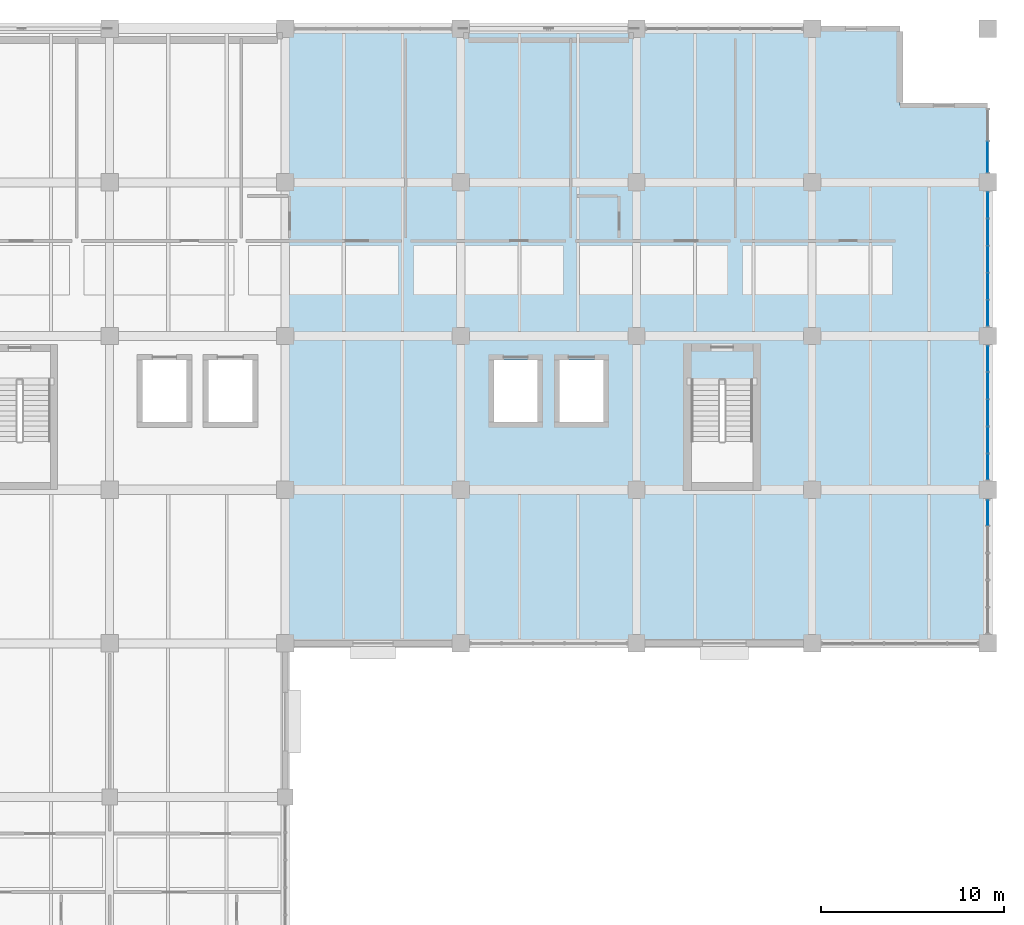
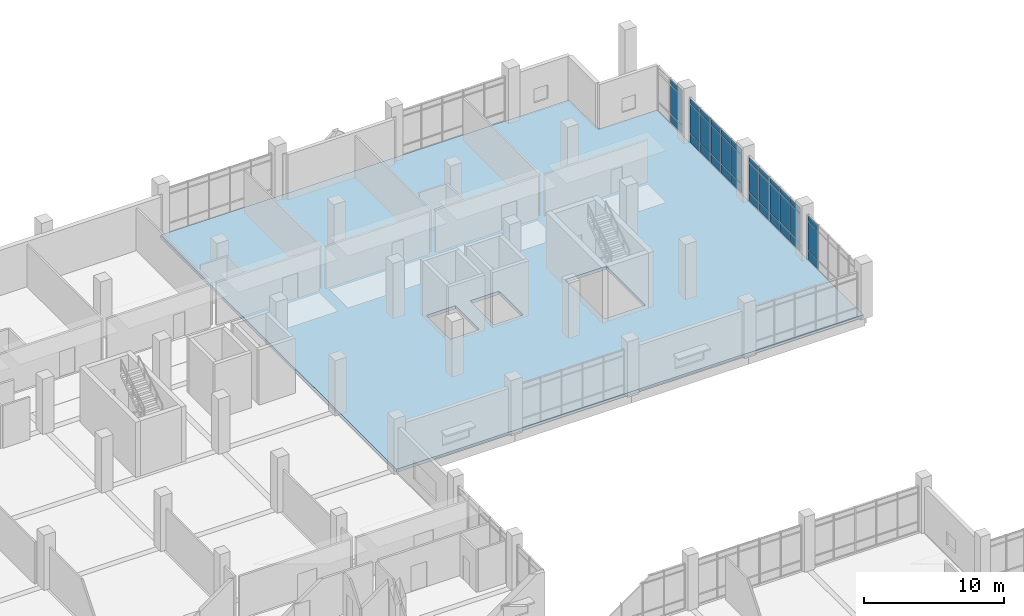
# One storey, part 107 of 152: 36 plates, 1 slab, 4 elements without a shape of their own.
"""IFC4 building model written with IfcOpenShell, lengths in metres."""

from ifc_helpers import new_model, si_unit, direction, frame, origin, origin_2d, place, context, subcontext, project, spatial, polyline, rectangle, outline, extrude, material, layer, layer_set, type_object, element, aggregate, save


model = new_model("IFC4")

# Units and contexts
model_context = context("Model", 3, precision=1e-05, world=origin(), true_north=direction((0.0, 1.0)))
body_context = subcontext(model_context, "Body", "Model", "MODEL_VIEW")
ifc_project = project(units=[si_unit("LENGTHUNIT", "METRE"), si_unit("AREAUNIT", "SQUARE_METRE"), si_unit("VOLUMEUNIT", "CUBIC_METRE"), si_unit("PLANEANGLEUNIT", "RADIAN"), si_unit("MASSUNIT", "GRAM", prefix="KILO")], contexts=[model_context])

# Site, building, storey
site_placement = place(None, origin())
site = spatial("IfcSite", under=ifc_project, at=site_placement, CompositionType="ELEMENT")
building_placement = place(site_placement, origin())
building = spatial("IfcBuilding", under=site, at=building_placement, Name="Oolite Switchyard Hospital", CompositionType="ELEMENT")
storey_placement = place(building_placement, frame((0.0, 0.0, 5.10009765625)))
storey = spatial("IfcBuildingStorey", under=building, at=storey_placement, Name="L01", CompositionType="ELEMENT", Elevation=5.10009765625)

# Curtain wall, plates
ifc_material_1 = material(Name="Thermally broken aluminum frame with laminated impact glazing", Category="aluminium")
curtain_wall_type = type_object("IfcCurtainWallType", Name="CW-UNIT-84X48", PredefinedType="USERDEFINED", material=ifc_material_1)
curtain_wall_1_placement = place(storey_placement, origin())
curtain_wall_1 = element("IfcCurtainWall", 1, at=curtain_wall_1_placement, inside=storey, type_object=curtain_wall_type, Name="L01 Unitised Curtain Wall 205", ObjectType="UNITISED", PredefinedType="USERDEFINED")
ifc_material_2 = material(Name="Laminated hurricane-impact insulated glazing unit", Category="glass")
ifc_layer_1 = layer(ifc_material_2, 0.028076171875)
ifc_layer_set_1 = layer_set([ifc_layer_1], Name="CW-PNL-VIS28")
plate_type_1 = type_object("IfcPlateType", Name="CW-PNL-VIS28", PredefinedType="CURTAIN_PANEL", material=ifc_layer_set_1)
plate_1_placement = place(storey_placement, frame((211.199951171875, 127.396240234375, 0.07470703125), z_axis=(0.0, 0.0, 1.0), x_axis=(0.0, -1.0, 0.0)))
plate_1 = element("IfcPlate", 2, at=plate_1_placement, type_object=plate_type_1, Name="CW-07 panel 2.1", PredefinedType="CURTAIN_PANEL", context=body_context, shape_type="SweptSolid", body=[
    extrude(rectangle(XDim=1.66259765625, YDim=0.028076171875, at=origin_2d()), origin(), (0.0, 0.0, 1.0), 0.737548828125),
])
plate_2_placement = place(storey_placement, frame((211.199951171875, 127.396240234375, 0.88720703125), z_axis=(0.0, 0.0, 1.0), x_axis=(0.0, -1.0, 0.0)))
plate_2 = element("IfcPlate", 3, at=plate_2_placement, type_object=plate_type_1, Name="CW-07 panel 2.2", PredefinedType="CURTAIN_PANEL", context=body_context, shape_type="SweptSolid", body=[
    extrude(rectangle(XDim=1.66259765625, YDim=0.028076171875, at=origin_2d()), origin(), (0.0, 0.0, 1.0), 2.465087890625),
])
plate_3_placement = place(storey_placement, frame((211.199951171875, 127.396240234375, 3.427490234375), z_axis=(0.0, 0.0, 1.0), x_axis=(0.0, -1.0, 0.0)))
plate_3 = element("IfcPlate", 4, at=plate_3_placement, type_object=plate_type_1, Name="CW-07 panel 2.3", PredefinedType="CURTAIN_PANEL", context=body_context, shape_type="SweptSolid", body=[
    extrude(rectangle(XDim=1.66259765625, YDim=0.028076171875, at=origin_2d()), origin(), (0.0, 0.0, 1.0), 0.4375),
])
aggregate(curtain_wall_1, [plate_1, plate_2, plate_3])

curtain_wall_2_placement = place(storey_placement, origin())
curtain_wall_2 = element("IfcCurtainWall", 5, at=curtain_wall_2_placement, inside=storey, type_object=curtain_wall_type, Name="L01 Unitised Curtain Wall 206", ObjectType="UNITISED", PredefinedType="USERDEFINED")
ifc_layer_2 = layer(ifc_material_2, 0.031982421875)
ifc_layer_set_2 = layer_set([ifc_layer_2], Name="CW-PNL-VIS32")
plate_type_2 = type_object("IfcPlateType", Name="CW-PNL-VIS32", PredefinedType="CURTAIN_PANEL", material=ifc_layer_set_2)
plate_4_placement = place(storey_placement, frame((211.199951171875, 124.7529296875, 0.06005859375), z_axis=(0.0, 0.0, 1.0), x_axis=(0.0, -1.0, 0.0)))
plate_4 = element("IfcPlate", 6, at=plate_4_placement, type_object=plate_type_2, Name="CW-07 panel 1.1", PredefinedType="CURTAIN_PANEL", context=body_context, shape_type="SweptSolid", body=[
    extrude(rectangle(XDim=1.39404296875, YDim=0.031982421875, at=origin_2d()), origin(), (0.0, 0.0, 1.0), 0.760009765625),
])
plate_5_placement = place(storey_placement, frame((211.199951171875, 124.7529296875, 0.8798828125), z_axis=(0.0, 0.0, 1.0), x_axis=(0.0, -1.0, 0.0)))
plate_5 = element("IfcPlate", 7, at=plate_5_placement, type_object=plate_type_2, Name="CW-07 panel 1.2", PredefinedType="CURTAIN_PANEL", context=body_context, shape_type="SweptSolid", body=[
    extrude(rectangle(XDim=1.39404296875, YDim=0.031982421875, at=origin_2d()), origin(), (0.0, 0.0, 1.0), 2.47998046875),
])
plate_6_placement = place(storey_placement, frame((211.199951171875, 124.7529296875, 3.419921875), z_axis=(0.0, 0.0, 1.0), x_axis=(0.0, -1.0, 0.0)))
plate_6 = element("IfcPlate", 8, at=plate_6_placement, type_object=plate_type_2, Name="CW-07 panel 1.3", PredefinedType="CURTAIN_PANEL", context=body_context, shape_type="SweptSolid", body=[
    extrude(rectangle(XDim=1.39404296875, YDim=0.031982421875, at=origin_2d()), origin(), (0.0, 0.0, 1.0), 0.4599609375),
])
plate_7_placement = place(storey_placement, frame((211.199951171875, 123.283935546875, 0.06005859375), z_axis=(0.0, 0.0, 1.0), x_axis=(0.0, -1.0, 0.0)))
plate_7 = element("IfcPlate", 9, at=plate_7_placement, type_object=plate_type_2, Name="CW-07 panel 2.1", PredefinedType="CURTAIN_PANEL", context=body_context, shape_type="SweptSolid", body=[
    extrude(rectangle(XDim=1.424072265625, YDim=0.031982421875, at=origin_2d()), origin(), (0.0, 0.0, 1.0), 0.760009765625),
])
plate_8_placement = place(storey_placement, frame((211.199951171875, 123.283935546875, 0.8798828125), z_axis=(0.0, 0.0, 1.0), x_axis=(0.0, -1.0, 0.0)))
plate_8 = element("IfcPlate", 10, at=plate_8_placement, type_object=plate_type_2, Name="CW-07 panel 2.2", PredefinedType="CURTAIN_PANEL", context=body_context, shape_type="SweptSolid", body=[
    extrude(rectangle(XDim=1.424072265625, YDim=0.031982421875, at=origin_2d()), origin(), (0.0, 0.0, 1.0), 2.47998046875),
])
plate_9_placement = place(storey_placement, frame((211.199951171875, 123.283935546875, 3.419921875), z_axis=(0.0, 0.0, 1.0), x_axis=(0.0, -1.0, 0.0)))
plate_9 = element("IfcPlate", 11, at=plate_9_placement, type_object=plate_type_2, Name="CW-07 panel 2.3", PredefinedType="CURTAIN_PANEL", context=body_context, shape_type="SweptSolid", body=[
    extrude(rectangle(XDim=1.424072265625, YDim=0.031982421875, at=origin_2d()), origin(), (0.0, 0.0, 1.0), 0.4599609375),
])
plate_10_placement = place(storey_placement, frame((211.199951171875, 121.800048828125, 0.06005859375), z_axis=(0.0, 0.0, 1.0), x_axis=(0.0, -1.0, 0.0)))
plate_10 = element("IfcPlate", 12, at=plate_10_placement, type_object=plate_type_2, Name="CW-07 panel 3.1", PredefinedType="CURTAIN_PANEL", context=body_context, shape_type="SweptSolid", body=[
    extrude(rectangle(XDim=1.424072265625, YDim=0.031982421875, at=origin_2d()), origin(), (0.0, 0.0, 1.0), 0.760009765625),
])
plate_11_placement = place(storey_placement, frame((211.199951171875, 121.800048828125, 0.8798828125), z_axis=(0.0, 0.0, 1.0), x_axis=(0.0, -1.0, 0.0)))
plate_11 = element("IfcPlate", 13, at=plate_11_placement, type_object=plate_type_2, Name="CW-07 panel 3.2", PredefinedType="CURTAIN_PANEL", context=body_context, shape_type="SweptSolid", body=[
    extrude(rectangle(XDim=1.424072265625, YDim=0.031982421875, at=origin_2d()), origin(), (0.0, 0.0, 1.0), 2.47998046875),
])
plate_12_placement = place(storey_placement, frame((211.199951171875, 121.800048828125, 3.419921875), z_axis=(0.0, 0.0, 1.0), x_axis=(0.0, -1.0, 0.0)))
plate_12 = element("IfcPlate", 14, at=plate_12_placement, type_object=plate_type_2, Name="CW-07 panel 3.3", PredefinedType="CURTAIN_PANEL", context=body_context, shape_type="SweptSolid", body=[
    extrude(rectangle(XDim=1.424072265625, YDim=0.031982421875, at=origin_2d()), origin(), (0.0, 0.0, 1.0), 0.4599609375),
])
plate_13_placement = place(storey_placement, frame((211.199951171875, 120.31591796875, 0.06005859375), z_axis=(0.0, 0.0, 1.0), x_axis=(0.0, -1.0, 0.0)))
plate_13 = element("IfcPlate", 15, at=plate_13_placement, type_object=plate_type_2, Name="CW-07 panel 4.1", PredefinedType="CURTAIN_PANEL", context=body_context, shape_type="SweptSolid", body=[
    extrude(rectangle(XDim=1.424072265625, YDim=0.031982421875, at=origin_2d()), origin(), (0.0, 0.0, 1.0), 0.760009765625),
])
plate_14_placement = place(storey_placement, frame((211.199951171875, 120.31591796875, 0.8798828125), z_axis=(0.0, 0.0, 1.0), x_axis=(0.0, -1.0, 0.0)))
plate_14 = element("IfcPlate", 16, at=plate_14_placement, type_object=plate_type_2, Name="CW-07 panel 4.2", PredefinedType="CURTAIN_PANEL", context=body_context, shape_type="SweptSolid", body=[
    extrude(rectangle(XDim=1.424072265625, YDim=0.031982421875, at=origin_2d()), origin(), (0.0, 0.0, 1.0), 2.47998046875),
])
plate_15_placement = place(storey_placement, frame((211.199951171875, 120.31591796875, 3.419921875), z_axis=(0.0, 0.0, 1.0), x_axis=(0.0, -1.0, 0.0)))
plate_15 = element("IfcPlate", 17, at=plate_15_placement, type_object=plate_type_2, Name="CW-07 panel 4.3", PredefinedType="CURTAIN_PANEL", context=body_context, shape_type="SweptSolid", body=[
    extrude(rectangle(XDim=1.424072265625, YDim=0.031982421875, at=origin_2d()), origin(), (0.0, 0.0, 1.0), 0.4599609375),
])
plate_16_placement = place(storey_placement, frame((211.199951171875, 118.846923828125, 0.06005859375), z_axis=(0.0, 0.0, 1.0), x_axis=(0.0, -1.0, 0.0)))
plate_16 = element("IfcPlate", 18, at=plate_16_placement, type_object=plate_type_2, Name="CW-07 panel 5.1", PredefinedType="CURTAIN_PANEL", context=body_context, shape_type="SweptSolid", body=[
    extrude(rectangle(XDim=1.39404296875, YDim=0.031982421875, at=origin_2d()), origin(), (0.0, 0.0, 1.0), 0.760009765625),
])
plate_17_placement = place(storey_placement, frame((211.199951171875, 118.846923828125, 0.8798828125), z_axis=(0.0, 0.0, 1.0), x_axis=(0.0, -1.0, 0.0)))
plate_17 = element("IfcPlate", 19, at=plate_17_placement, type_object=plate_type_2, Name="CW-07 panel 5.2", PredefinedType="CURTAIN_PANEL", context=body_context, shape_type="SweptSolid", body=[
    extrude(rectangle(XDim=1.39404296875, YDim=0.031982421875, at=origin_2d()), origin(), (0.0, 0.0, 1.0), 2.47998046875),
])
plate_18_placement = place(storey_placement, frame((211.199951171875, 118.846923828125, 3.419921875), z_axis=(0.0, 0.0, 1.0), x_axis=(0.0, -1.0, 0.0)))
plate_18 = element("IfcPlate", 20, at=plate_18_placement, type_object=plate_type_2, Name="CW-07 panel 5.3", PredefinedType="CURTAIN_PANEL", context=body_context, shape_type="SweptSolid", body=[
    extrude(rectangle(XDim=1.39404296875, YDim=0.031982421875, at=origin_2d()), origin(), (0.0, 0.0, 1.0), 0.4599609375),
])
aggregate(curtain_wall_2, [plate_4, plate_5, plate_6, plate_7, plate_8, plate_9, plate_10, plate_11, plate_12, plate_13, plate_14, plate_15, plate_16, plate_17, plate_18])

curtain_wall_3_placement = place(storey_placement, origin())
curtain_wall_3 = element("IfcCurtainWall", 21, at=curtain_wall_3_placement, inside=storey, type_object=curtain_wall_type, Name="L01 Unitised Curtain Wall 207", ObjectType="UNITISED", PredefinedType="USERDEFINED")
ifc_layer_3 = layer(ifc_material_2, 0.035888671875)
ifc_layer_set_3 = layer_set([ifc_layer_3], Name="CW-PNL-VIS36")
plate_type_3 = type_object("IfcPlateType", Name="CW-PNL-VIS36", PredefinedType="CURTAIN_PANEL", material=ifc_layer_set_3)
plate_19_placement = place(storey_placement, frame((211.199951171875, 116.3505859375, 0.07470703125), z_axis=(0.0, 0.0, 1.0), x_axis=(0.0, -1.0, 0.0)))
plate_19 = element("IfcPlate", 22, at=plate_19_placement, type_object=plate_type_3, Name="CW-07 panel 1.1", PredefinedType="CURTAIN_PANEL", context=body_context, shape_type="SweptSolid", body=[
    extrude(rectangle(XDim=1.37890625, YDim=0.035888671875, at=origin_2d()), origin(), (0.0, 0.0, 1.0), 0.737548828125),
])
plate_20_placement = place(storey_placement, frame((211.199951171875, 116.3505859375, 0.88720703125), z_axis=(0.0, 0.0, 1.0), x_axis=(0.0, -1.0, 0.0)))
plate_20 = element("IfcPlate", 23, at=plate_20_placement, type_object=plate_type_3, Name="CW-07 panel 1.2", PredefinedType="CURTAIN_PANEL", context=body_context, shape_type="SweptSolid", body=[
    extrude(rectangle(XDim=1.37890625, YDim=0.035888671875, at=origin_2d()), origin(), (0.0, 0.0, 1.0), 2.465087890625),
])
plate_21_placement = place(storey_placement, frame((211.199951171875, 116.3505859375, 3.427490234375), z_axis=(0.0, 0.0, 1.0), x_axis=(0.0, -1.0, 0.0)))
plate_21 = element("IfcPlate", 24, at=plate_21_placement, type_object=plate_type_3, Name="CW-07 panel 1.3", PredefinedType="CURTAIN_PANEL", context=body_context, shape_type="SweptSolid", body=[
    extrude(rectangle(XDim=1.37890625, YDim=0.035888671875, at=origin_2d()), origin(), (0.0, 0.0, 1.0), 0.4375),
])
plate_22_placement = place(storey_placement, frame((211.199951171875, 114.884033203125, 0.07470703125), z_axis=(0.0, 0.0, 1.0), x_axis=(0.0, -1.0, 0.0)))
plate_22 = element("IfcPlate", 25, at=plate_22_placement, type_object=plate_type_3, Name="CW-07 panel 2.1", PredefinedType="CURTAIN_PANEL", context=body_context, shape_type="SweptSolid", body=[
    extrude(rectangle(XDim=1.4140625, YDim=0.035888671875, at=origin_2d()), origin(), (0.0, 0.0, 1.0), 0.737548828125),
])
plate_23_placement = place(storey_placement, frame((211.199951171875, 114.884033203125, 0.88720703125), z_axis=(0.0, 0.0, 1.0), x_axis=(0.0, -1.0, 0.0)))
plate_23 = element("IfcPlate", 26, at=plate_23_placement, type_object=plate_type_3, Name="CW-07 panel 2.2", PredefinedType="CURTAIN_PANEL", context=body_context, shape_type="SweptSolid", body=[
    extrude(rectangle(XDim=1.4140625, YDim=0.035888671875, at=origin_2d()), origin(), (0.0, 0.0, 1.0), 2.465087890625),
])
plate_24_placement = place(storey_placement, frame((211.199951171875, 114.884033203125, 3.427490234375), z_axis=(0.0, 0.0, 1.0), x_axis=(0.0, -1.0, 0.0)))
plate_24 = element("IfcPlate", 27, at=plate_24_placement, type_object=plate_type_3, Name="CW-07 panel 2.3", PredefinedType="CURTAIN_PANEL", context=body_context, shape_type="SweptSolid", body=[
    extrude(rectangle(XDim=1.4140625, YDim=0.035888671875, at=origin_2d()), origin(), (0.0, 0.0, 1.0), 0.4375),
])
plate_25_placement = place(storey_placement, frame((211.199951171875, 113.39990234375, 0.07470703125), z_axis=(0.0, 0.0, 1.0), x_axis=(0.0, -1.0, 0.0)))
plate_25 = element("IfcPlate", 28, at=plate_25_placement, type_object=plate_type_3, Name="CW-07 panel 3.1", PredefinedType="CURTAIN_PANEL", context=body_context, shape_type="SweptSolid", body=[
    extrude(rectangle(XDim=1.4140625, YDim=0.035888671875, at=origin_2d()), origin(), (0.0, 0.0, 1.0), 0.737548828125),
])
plate_26_placement = place(storey_placement, frame((211.199951171875, 113.39990234375, 0.88720703125), z_axis=(0.0, 0.0, 1.0), x_axis=(0.0, -1.0, 0.0)))
plate_26 = element("IfcPlate", 29, at=plate_26_placement, type_object=plate_type_3, Name="CW-07 panel 3.2", PredefinedType="CURTAIN_PANEL", context=body_context, shape_type="SweptSolid", body=[
    extrude(rectangle(XDim=1.4140625, YDim=0.035888671875, at=origin_2d()), origin(), (0.0, 0.0, 1.0), 2.465087890625),
])
plate_27_placement = place(storey_placement, frame((211.199951171875, 113.39990234375, 3.427490234375), z_axis=(0.0, 0.0, 1.0), x_axis=(0.0, -1.0, 0.0)))
plate_27 = element("IfcPlate", 30, at=plate_27_placement, type_object=plate_type_3, Name="CW-07 panel 3.3", PredefinedType="CURTAIN_PANEL", context=body_context, shape_type="SweptSolid", body=[
    extrude(rectangle(XDim=1.4140625, YDim=0.035888671875, at=origin_2d()), origin(), (0.0, 0.0, 1.0), 0.4375),
])
plate_28_placement = place(storey_placement, frame((211.199951171875, 111.916015625, 0.07470703125), z_axis=(0.0, 0.0, 1.0), x_axis=(0.0, -1.0, 0.0)))
plate_28 = element("IfcPlate", 31, at=plate_28_placement, type_object=plate_type_3, Name="CW-07 panel 4.1", PredefinedType="CURTAIN_PANEL", context=body_context, shape_type="SweptSolid", body=[
    extrude(rectangle(XDim=1.4140625, YDim=0.035888671875, at=origin_2d()), origin(), (0.0, 0.0, 1.0), 0.737548828125),
])
plate_29_placement = place(storey_placement, frame((211.199951171875, 111.916015625, 0.88720703125), z_axis=(0.0, 0.0, 1.0), x_axis=(0.0, -1.0, 0.0)))
plate_29 = element("IfcPlate", 32, at=plate_29_placement, type_object=plate_type_3, Name="CW-07 panel 4.2", PredefinedType="CURTAIN_PANEL", context=body_context, shape_type="SweptSolid", body=[
    extrude(rectangle(XDim=1.4140625, YDim=0.035888671875, at=origin_2d()), origin(), (0.0, 0.0, 1.0), 2.465087890625),
])
plate_30_placement = place(storey_placement, frame((211.199951171875, 111.916015625, 3.427490234375), z_axis=(0.0, 0.0, 1.0), x_axis=(0.0, -1.0, 0.0)))
plate_30 = element("IfcPlate", 33, at=plate_30_placement, type_object=plate_type_3, Name="CW-07 panel 4.3", PredefinedType="CURTAIN_PANEL", context=body_context, shape_type="SweptSolid", body=[
    extrude(rectangle(XDim=1.4140625, YDim=0.035888671875, at=origin_2d()), origin(), (0.0, 0.0, 1.0), 0.4375),
])
plate_31_placement = place(storey_placement, frame((211.199951171875, 110.449462890625, 0.07470703125), z_axis=(0.0, 0.0, 1.0), x_axis=(0.0, -1.0, 0.0)))
plate_31 = element("IfcPlate", 34, at=plate_31_placement, type_object=plate_type_3, Name="CW-07 panel 5.1", PredefinedType="CURTAIN_PANEL", context=body_context, shape_type="SweptSolid", body=[
    extrude(rectangle(XDim=1.37890625, YDim=0.035888671875, at=origin_2d()), origin(), (0.0, 0.0, 1.0), 0.737548828125),
])
plate_32_placement = place(storey_placement, frame((211.199951171875, 110.449462890625, 0.88720703125), z_axis=(0.0, 0.0, 1.0), x_axis=(0.0, -1.0, 0.0)))
plate_32 = element("IfcPlate", 35, at=plate_32_placement, type_object=plate_type_3, Name="CW-07 panel 5.2", PredefinedType="CURTAIN_PANEL", context=body_context, shape_type="SweptSolid", body=[
    extrude(rectangle(XDim=1.37890625, YDim=0.035888671875, at=origin_2d()), origin(), (0.0, 0.0, 1.0), 2.465087890625),
])
plate_33_placement = place(storey_placement, frame((211.199951171875, 110.449462890625, 3.427490234375), z_axis=(0.0, 0.0, 1.0), x_axis=(0.0, -1.0, 0.0)))
plate_33 = element("IfcPlate", 36, at=plate_33_placement, type_object=plate_type_3, Name="CW-07 panel 5.3", PredefinedType="CURTAIN_PANEL", context=body_context, shape_type="SweptSolid", body=[
    extrude(rectangle(XDim=1.37890625, YDim=0.035888671875, at=origin_2d()), origin(), (0.0, 0.0, 1.0), 0.4375),
])
aggregate(curtain_wall_3, [plate_19, plate_20, plate_21, plate_22, plate_23, plate_24, plate_25, plate_26, plate_27, plate_28, plate_29, plate_30, plate_31, plate_32, plate_33])

curtain_wall_4_placement = place(storey_placement, origin())
curtain_wall_4 = element("IfcCurtainWall", 37, at=curtain_wall_4_placement, inside=storey, type_object=curtain_wall_type, Name="L01 Unitised Curtain Wall 208", ObjectType="UNITISED", PredefinedType="USERDEFINED")
ifc_layer_4 = layer(ifc_material_2, 0.0419921875)
ifc_layer_set_4 = layer_set([ifc_layer_4], Name="CW-PNL-VIS42")
plate_type_4 = type_object("IfcPlateType", Name="CW-PNL-VIS42", PredefinedType="CURTAIN_PANEL", material=ifc_layer_set_4)
plate_34_placement = place(storey_placement, frame((211.199951171875, 107.94921875, 0.06005859375), z_axis=(0.0, 0.0, 1.0), x_axis=(0.0, -1.0, 0.0)))
plate_34 = element("IfcPlate", 38, at=plate_34_placement, type_object=plate_type_4, Name="CW-07 panel 1.1", PredefinedType="CURTAIN_PANEL", context=body_context, shape_type="SweptSolid", body=[
    extrude(rectangle(XDim=1.37158203125, YDim=0.0419921875, at=origin_2d()), origin(), (0.0, 0.0, 1.0), 0.760009765625),
])
plate_35_placement = place(storey_placement, frame((211.199951171875, 107.94921875, 0.8798828125), z_axis=(0.0, 0.0, 1.0), x_axis=(0.0, -1.0, 0.0)))
plate_35 = element("IfcPlate", 39, at=plate_35_placement, type_object=plate_type_4, Name="CW-07 panel 1.2", PredefinedType="CURTAIN_PANEL", context=body_context, shape_type="SweptSolid", body=[
    extrude(rectangle(XDim=1.37158203125, YDim=0.0419921875, at=origin_2d()), origin(), (0.0, 0.0, 1.0), 2.47998046875),
])
plate_36_placement = place(storey_placement, frame((211.199951171875, 107.94921875, 3.419921875), z_axis=(0.0, 0.0, 1.0), x_axis=(0.0, -1.0, 0.0)))
plate_36 = element("IfcPlate", 40, at=plate_36_placement, type_object=plate_type_4, Name="CW-07 panel 1.3", PredefinedType="CURTAIN_PANEL", context=body_context, shape_type="SweptSolid", body=[
    extrude(rectangle(XDim=1.37158203125, YDim=0.0419921875, at=origin_2d()), origin(), (0.0, 0.0, 1.0), 0.4599609375),
])
aggregate(curtain_wall_4, [plate_34, plate_35, plate_36])

# Slab
ifc_material_3 = material(Name="Concrete C40/50", Category="concrete")
ifc_layer_5 = layer(ifc_material_3, 0.27490234375)
ifc_layer_set_5 = layer_set([ifc_layer_5], Name="SLB-FLR-275")
slab_type = type_object("IfcSlabType", Name="SLB-FLR-275", PredefinedType="FLOOR", material=ifc_layer_set_5)
slab_placement = place(storey_placement, frame((0.0, 0.0, -0.275146484375)))
element("IfcSlab", 41, at=slab_placement, inside=storey, type_object=slab_type, Name="L01 V5E Slab V5E2", PredefinedType="FLOOR", context=body_context, shape_type="SweptSolid", body=[
    extrude(outline(polyline([(172.800048828125, 100.800048828125), (211.199951171875, 100.800048828125), (211.199951171875, 130.199951171875), (206.39990234375, 130.199951171875), (206.39990234375, 134.39990234375), (172.800048828125, 134.39990234375), (172.800048828125, 100.800048828125)]), holes=[polyline([(195.0, 115.18994140625), (195.0, 109.60009765625), (198.360107421875, 109.60009765625), (198.360107421875, 115.18994140625), (195.0, 115.18994140625)]), polyline([(184.199951171875, 112.89990234375), (186.60009765625, 112.89990234375), (186.60009765625, 116.300048828125), (184.199951171875, 116.300048828125), (184.199951171875, 112.89990234375)]), polyline([(187.800048828125, 112.89990234375), (190.199951171875, 112.89990234375), (190.199951171875, 116.300048828125), (187.800048828125, 116.300048828125), (187.800048828125, 112.89990234375)])]), origin(), (0.0, 0.0, 1.0), 0.275146484375),
])

save(model, "model.ifc")
